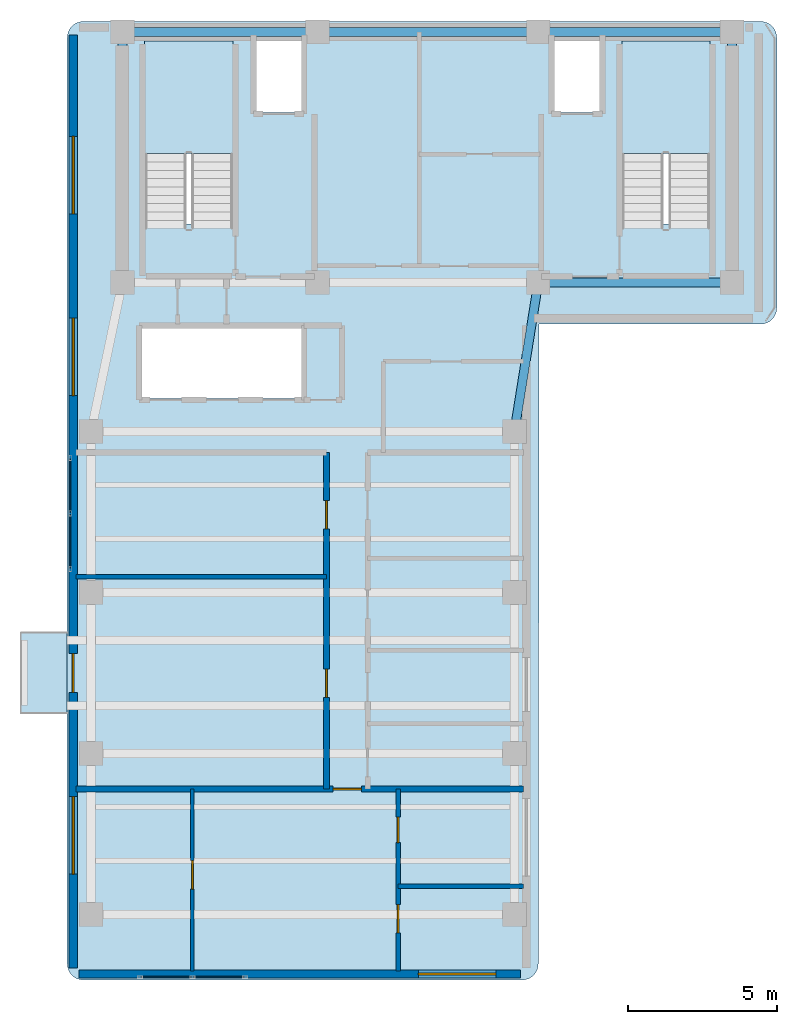
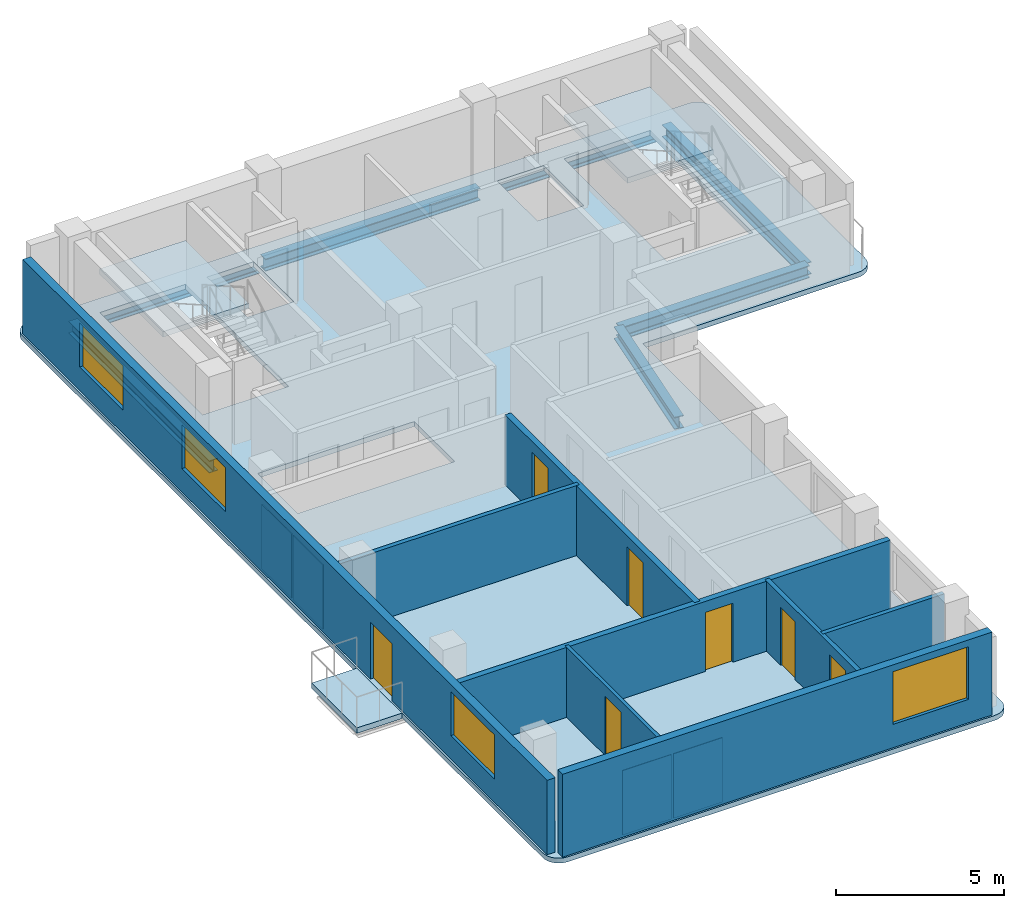
# One storey, part 6 of 9: 8 walls, 7 beams, 7 doors, 4 plates, 4 slabs, 4 windows, 11 openings, 4 elements without a shape of their own.
"""IFC4 building model written with IfcOpenShell, lengths in metres."""

import ifcopenshell
import ifcopenshell.guid

model = None  # the IFC model being written
_history = None  # IfcOwnerHistory: only IFC2X3 demands one
_inside = {}  # id of a spatial element -> (the spatial element, [elements in it])
_under = {}  # id of a project, library or spatial element -> (it, [spatial elements below it])
_declared = {}  # id of a project -> (the project, [libraries it declares])
_typed = {}  # id of a type object -> (the type object, [elements of that type])
_made_of = {}  # id of a material, layer set ... -> (it, [elements and type objects made of it])


def new_model(schema):
    """Start an empty IFC model of exactly this schema.

    Asked for "IFC4X3", IfcOpenShell would pick the latest addendum, in which some entities
    have other attributes; the version numbers below select the first issue.
    IFC2X3 requires an IfcOwnerHistory on every rooted entity: one is made here for all.
    """
    global model, _history
    if schema == "IFC4X3":
        model = ifcopenshell.file(schema_version=(4, 3, 0, 0))
    else:
        model = ifcopenshell.file(schema=schema)
    _inside.clear()
    _under.clear()
    _declared.clear()
    _typed.clear()
    _made_of.clear()
    _history = None
    if model.schema == "IFC2X3":
        org = make("IfcOrganization", Name="unknown")
        user = make(
            "IfcPersonAndOrganization",
            ThePerson=make("IfcPerson", FamilyName="unknown"),
            TheOrganization=org,
        )
        app = make(
            "IfcApplication",
            ApplicationDeveloper=org,
            Version="unknown",
            ApplicationFullName="unknown",
            ApplicationIdentifier="unknown",
        )
        _history = make(
            "IfcOwnerHistory",
            OwningUser=user,
            OwningApplication=app,
            ChangeAction="ADDED",
            CreationDate=0,
        )
    return model


def make(cls, **values):
    """One entity of the class cls with the attributes given. An attribute that is None is left unset."""
    return model.create_entity(
        cls, **{name: value for name, value in values.items() if value is not None}
    )


def rooted(cls, **values):
    """An entity with a GlobalId (a new one), such as an element, a storey or a relation."""
    return make(cls, GlobalId=ifcopenshell.guid.new(), OwnerHistory=_history, **values)


def si_unit(unit_type, name, prefix=None):
    """IfcSIUnit, for example si_unit("LENGTHUNIT", "METRE", prefix="MILLI")."""
    return make("IfcSIUnit", UnitType=unit_type, Prefix=prefix, Name=name)


def assignment(units):
    """IfcUnitAssignment: the units of a project."""
    return None if units is None else make("IfcUnitAssignment", Units=units)


def point(xyz):
    """IfcCartesianPoint."""
    return None if xyz is None else make("IfcCartesianPoint", Coordinates=xyz)


def direction(xyz):
    """IfcDirection."""
    return None if xyz is None else make("IfcDirection", DirectionRatios=xyz)


def frame(location, z_axis=None, x_axis=None):
    """IfcAxis2Placement3D, a coordinate frame: its origin and axes. An axis left out is left unset."""
    return make(
        "IfcAxis2Placement3D",
        Location=point(location),
        Axis=direction(z_axis),
        RefDirection=direction(x_axis),
    )


def frame_2d(location, x_axis=None):
    """IfcAxis2Placement2D, a coordinate frame in the plane: its origin and x axis."""
    return make(
        "IfcAxis2Placement2D", Location=point(location), RefDirection=direction(x_axis)
    )


def origin():
    """The frame at (0, 0, 0) with its axes left unset."""
    return frame((0.0, 0.0, 0.0))


def origin_2d():
    """The frame at (0, 0) in the plane with its x axis left unset."""
    return frame_2d((0.0, 0.0))


def place(relative_to, where):
    """IfcLocalPlacement: puts the frame where relative to a parent placement (None: the world)."""
    return make(
        "IfcLocalPlacement", PlacementRelTo=relative_to, RelativePlacement=where
    )


def context(
    kind, dimensions, precision=None, world=None, true_north=None, identifier=None
):
    """IfcGeometricRepresentationContext, for example the 3D "Model" context."""
    return make(
        "IfcGeometricRepresentationContext",
        ContextIdentifier=identifier,
        ContextType=kind,
        CoordinateSpaceDimension=dimensions,
        Precision=precision,
        WorldCoordinateSystem=world,
        TrueNorth=true_north,
    )


def subcontext(parent, identifier, kind, view, scale=None):
    """IfcGeometricRepresentationSubContext, for example "Body" below "Model"."""
    return make(
        "IfcGeometricRepresentationSubContext",
        ContextIdentifier=identifier,
        ContextType=kind,
        ParentContext=parent,
        TargetScale=scale,
        TargetView=view,
    )


def project(units=None, contexts=None):
    """IfcProject with its units and contexts."""
    return rooted(
        "IfcProject",
        Name="project",
        RepresentationContexts=contexts,
        UnitsInContext=assignment(units),
    )


def spatial(cls, under=None, at=None, **own):
    """A site, building, storey or space (cls), placed at a placement, below another one or the project."""
    s = rooted(cls, ObjectPlacement=at, **own)
    if under is not None:
        _under.setdefault(under.id(), (under, []))[1].append(s)
    return s


def polyline(points):
    """IfcPolyline through the points."""
    return make("IfcPolyline", Points=[point(p) for p in points])


def profile(cls, at=None, kind="AREA", **sizes):
    """A parametric profile (cls). Its sizes go by their IFC names, for example OverallWidth=200.0."""
    return make(cls, ProfileType=kind, Position=at, **sizes)


def rectangle(**sizes):
    """IfcRectangleProfileDef."""
    return profile("IfcRectangleProfileDef", **sizes)


def i_section(**sizes):
    """IfcIShapeProfileDef."""
    return profile("IfcIShapeProfileDef", **sizes)


def outline(outer, holes=None, kind="AREA"):
    """IfcArbitraryClosedProfileDef: a profile drawn as a closed curve; with holes, ...WithVoids."""
    if holes is None:
        return make("IfcArbitraryClosedProfileDef", ProfileType=kind, OuterCurve=outer)
    return make(
        "IfcArbitraryProfileDefWithVoids",
        ProfileType=kind,
        OuterCurve=outer,
        InnerCurves=holes,
    )


def extrude(swept, where, along, depth):
    """IfcExtrudedAreaSolid: the profile swept, set in the frame where, extruded along a direction by depth."""
    return make(
        "IfcExtrudedAreaSolid",
        SweptArea=swept,
        Position=where,
        ExtrudedDirection=direction(along),
        Depth=depth,
    )


def shape(context_of_items, identifier, shape_type, items):
    """IfcShapeRepresentation: the items that make up one representation, for example the "Body"."""
    return make(
        "IfcShapeRepresentation",
        ContextOfItems=context_of_items,
        RepresentationIdentifier=identifier,
        RepresentationType=shape_type,
        Items=items,
    )


def material(Name=None, Category=None):
    """IfcMaterial."""
    return make("IfcMaterial", Name=Name, Category=Category)


def layer(
    of_material, thickness, ventilated=None, Name=None, Category=None, Priority=None
):
    """IfcMaterialLayer: one layer of a wall or slab, of a material (None: an air gap)."""
    return make(
        "IfcMaterialLayer",
        Material=of_material,
        LayerThickness=thickness,
        IsVentilated=ventilated,
        Name=Name,
        Category=Category,
        Priority=Priority,
    )


def layer_set(layers, Name=None):
    """IfcMaterialLayerSet."""
    return make("IfcMaterialLayerSet", MaterialLayers=layers, LayerSetName=Name)


def material_profile(
    of_material, cross_section, Name=None, Category=None, Priority=None
):
    """IfcMaterialProfile: a cross section and its material."""
    return make(
        "IfcMaterialProfile",
        Name=Name,
        Material=of_material,
        Profile=cross_section,
        Priority=Priority,
        Category=Category,
    )


def profile_set(profiles, Name=None, composite=None):
    """IfcMaterialProfileSet."""
    return make(
        "IfcMaterialProfileSet",
        Name=Name,
        MaterialProfiles=profiles,
        CompositeProfile=composite,
    )


def made_of(thing, what):
    """Note that an element or type object is made of a material, layer set ...; save() writes the relation."""
    if what is not None:
        _made_of.setdefault(what.id(), (what, []))[1].append(thing)
    return thing


def type_object(cls, material=None, **own):
    """A type object (cls), such as IfcWallType, which elements share."""
    return made_of(rooted(cls, **own), material)


def element(
    cls,
    number,
    at=None,
    inside=None,
    cuts=None,
    type_object=None,
    material=None,
    context=None,
    identifier="Body",
    shape_type=None,
    held_by="IfcProductDefinitionShape",
    body=None,
    shapes=None,
    **own,
):
    """One element of the class cls, such as IfcWall. Its Tag is "e" and its number.

    at: its placement. inside: the storey or other place that contains it. cuts: it is an
    opening in that element (IfcRelVoidsElement). A single representation is given by context,
    identifier, shape_type and body (its items); several are given by shapes. held_by: the class
    of the entity that holds the representations. save() writes the other relations.
    """
    e = rooted(cls, Tag="e%d" % number, ObjectPlacement=at, **own)
    if body is not None:
        shapes = [shape(context, identifier, shape_type, body)]
    if shapes is not None:
        e.Representation = make(held_by, Representations=shapes)
    if inside is not None:
        _inside.setdefault(inside.id(), (inside, []))[1].append(e)
    if cuts is not None:
        rooted(
            "IfcRelVoidsElement", RelatingBuildingElement=cuts, RelatedOpeningElement=e
        )
    if type_object is not None:
        _typed.setdefault(type_object.id(), (type_object, []))[1].append(e)
    return made_of(e, material)


def fill(opening, filler):
    """IfcRelFillsElement: the door or window that sits in an opening."""
    return rooted(
        "IfcRelFillsElement",
        RelatingOpeningElement=opening,
        RelatedBuildingElement=filler,
    )


def aggregate(whole, parts):
    """IfcRelAggregates: a whole, such as a stair, and the parts it consists of."""
    return rooted("IfcRelAggregates", RelatingObject=whole, RelatedObjects=parts)


def save(model, path):
    """Write the relations noted so far, then the file.

    IfcRelAggregates (storeys below a building ...), IfcRelContainedInSpatialStructure (elements
    in a storey), IfcRelDefinesByType, IfcRelAssociatesMaterial and IfcRelDeclares: one each for
    every whole, place, type object, material and project.
    """
    for whole, parts in _under.values():
        aggregate(whole, parts)
    for where, things in _inside.values():
        rooted(
            "IfcRelContainedInSpatialStructure",
            RelatedElements=things,
            RelatingStructure=where,
        )
    for kind, things in _typed.values():
        rooted("IfcRelDefinesByType", RelatedObjects=things, RelatingType=kind)
    for what, things in _made_of.values():
        rooted("IfcRelAssociatesMaterial", RelatedObjects=things, RelatingMaterial=what)
    for by, libraries in _declared.values():
        rooted("IfcRelDeclares", RelatingContext=by, RelatedDefinitions=libraries)
    model.write(path)


model = new_model("IFC4")

# Units and contexts
model_context = context("Model", 3, precision=1e-05, world=origin(), true_north=direction((0.0, 1.0)))
body_context = subcontext(model_context, "Body", "Model", "MODEL_VIEW")
ifc_project = project(units=[si_unit("LENGTHUNIT", "METRE"), si_unit("AREAUNIT", "SQUARE_METRE"), si_unit("VOLUMEUNIT", "CUBIC_METRE"), si_unit("PLANEANGLEUNIT", "RADIAN"), si_unit("MASSUNIT", "GRAM", prefix="KILO")], contexts=[model_context])

# Site, building, storey
site_placement = place(None, origin())
site = spatial("IfcSite", under=ifc_project, at=site_placement, CompositionType="ELEMENT")
building_placement = place(site_placement, origin())
building = spatial("IfcBuilding", under=site, at=building_placement, Name="Kuzgunbayir Cultural Tower", CompositionType="ELEMENT")
storey_placement = place(building_placement, frame((0.0, 0.0, 240.800048828125)))
storey = spatial("IfcBuildingStorey", under=building, at=storey_placement, Name="L71", CompositionType="ELEMENT", Elevation=240.800048828125)

# Beams
ifc_material_1 = material(Name="Steel S355J2", Category="steel")
ifc_material_profile = material_profile(ifc_material_1, i_section(OverallWidth=0.300048828125, OverallDepth=0.449951171875, WebThickness=0.013916015625, FlangeThickness=0.02587890625, FilletRadius=0.027099609375, at=origin_2d()), Name="HEB 450")
ifc_profile_set = profile_set([ifc_material_profile], Name="Steel S355J2")
beam_type = type_object("IfcBeamType", Name="BM-GIR-HEB450", PredefinedType="BEAM", material=ifc_profile_set)
beam_1_placement = place(storey_placement, frame((20.39990234375, 33.800048828125, -0.400146484375), z_axis=(1.0, 0.0, 0.0), x_axis=(0.0, 1.0, 0.0)))
element("IfcBeam", 1, at=beam_1_placement, inside=storey, type_object=beam_type, Name="L71 Core South Girder 3", PredefinedType="BEAM", context=body_context, shape_type="SweptSolid", body=[
    extrude(i_section(OverallWidth=0.300048828125, OverallDepth=0.449951171875, WebThickness=0.013916015625, FlangeThickness=0.02587890625, FilletRadius=0.027099609375, at=origin_2d()), origin(), (0.0, 0.0, 1.0), 6.5),
])
beam_2_placement = place(storey_placement, frame((6.449951171875, 42.199951171875, -0.400146484375), z_axis=(1.0, 0.0, 0.0), x_axis=(0.0, 1.0, 0.0)))
element("IfcBeam", 2, at=beam_2_placement, inside=storey, type_object=beam_type, Name="L71 Core North Girder 1", PredefinedType="BEAM", context=body_context, shape_type="SweptSolid", body=[
    extrude(i_section(OverallWidth=0.300048828125, OverallDepth=0.449951171875, WebThickness=0.013916015625, FlangeThickness=0.02587890625, FilletRadius=0.027099609375, at=origin_2d()), origin(), (0.0, 0.0, 1.0), 6.550048828125),
])
beam_3_placement = place(storey_placement, frame((13.0, 42.199951171875, -0.400146484375), z_axis=(1.0, 0.0, 0.0), x_axis=(0.0, 1.0, 0.0)))
element("IfcBeam", 3, at=beam_3_placement, inside=storey, type_object=beam_type, Name="L71 Core North Girder 2", PredefinedType="BEAM", context=body_context, shape_type="SweptSolid", body=[
    extrude(i_section(OverallWidth=0.300048828125, OverallDepth=0.449951171875, WebThickness=0.013916015625, FlangeThickness=0.02587890625, FilletRadius=0.027099609375, at=origin_2d()), origin(), (0.0, 0.0, 1.0), 7.39990234375),
])
beam_4_placement = place(storey_placement, frame((20.39990234375, 42.199951171875, -0.400146484375), z_axis=(1.0, 0.0, 0.0), x_axis=(0.0, 1.0, 0.0)))
element("IfcBeam", 4, at=beam_4_placement, inside=storey, type_object=beam_type, Name="L71 Core North Girder 3", PredefinedType="BEAM", context=body_context, shape_type="SweptSolid", body=[
    extrude(i_section(OverallWidth=0.300048828125, OverallDepth=0.449951171875, WebThickness=0.013916015625, FlangeThickness=0.02587890625, FilletRadius=0.027099609375, at=origin_2d()), origin(), (0.0, 0.0, 1.0), 6.5),
])
for number, where, z_axis, x_axis, name in (
    (5, (6.449951171875, 33.800048828125, -0.400146484375), (0.0, 1.0, 0.0), (-1.0, 0.0, 0.0), "L71 Core West Edge Girder"),
    (6, (26.89990234375, 33.800048828125, -0.400146484375), (0.0, 1.0, 0.0), (-1.0, 0.0, 0.0), "L71 Core East Edge Girder"),
):
    element("IfcBeam", number, at=place(storey_placement, frame(where, z_axis=z_axis, x_axis=x_axis)), inside=storey, type_object=beam_type, Name=name, PredefinedType="BEAM", context=body_context, shape_type="SweptSolid", body=[
        extrude(i_section(OverallWidth=0.300048828125, OverallDepth=0.449951171875, WebThickness=0.013916015625, FlangeThickness=0.02587890625, FilletRadius=0.027099609375, at=origin_2d()), origin(), (0.0, 0.0, 1.0), 8.39990234375),
    ])
beam_5_placement = place(storey_placement, frame((19.60009765625, 28.800048828125, -0.400146484375), z_axis=(0.157952891656, 0.987446648694, 0.0), x_axis=(-0.987446648694, 0.157952891656, 0.0)))
element("IfcBeam", 7, at=beam_5_placement, inside=storey, type_object=beam_type, Name="L71 Wing A East Core Floor Girder", PredefinedType="BEAM", context=body_context, shape_type="SweptSolid", body=[
    extrude(i_section(OverallWidth=0.300048828125, OverallDepth=0.449951171875, WebThickness=0.013916015625, FlangeThickness=0.02587890625, FilletRadius=0.027099609375, at=origin_2d()), origin(), (0.0, 0.0, 1.0), 5.0634765625),
])

# Curtain wall, plates
ifc_material_2 = material(Name="Anodised Aluminium Framing", Category="aluminium")
curtain_wall_type = type_object("IfcCurtainWallType", Name="CW06-OBSERVATORY", PredefinedType="NOTDEFINED", material=ifc_material_2)
curtain_wall_1_placement = place(storey_placement, origin())
curtain_wall_1 = element("IfcCurtainWall", 8, at=curtain_wall_1_placement, inside=storey, type_object=curtain_wall_type, Name="L71 Crown Observatory South Curtain Wall", PredefinedType="NOTDEFINED")
ifc_material_3 = material(Name="Solar-Control Triple Glazing", Category="glass")
ifc_layer_1 = layer(ifc_material_3, 0.035888671875)
ifc_layer_set_1 = layer_set([ifc_layer_1], Name="Solar-Control Triple Glazing")
plate_type = type_object("IfcPlateType", Name="PLT-CW-GLASS-36", PredefinedType="CURTAIN_PANEL", material=ifc_layer_set_1)
plate_1_placement = place(storey_placement, frame((7.918701171875, 10.5, 0.059814453125), z_axis=(0.0, 0.0, 1.0), x_axis=(1.0, 0.0, 0.0)))
plate_1 = element("IfcPlate", 9, at=plate_1_placement, type_object=plate_type, Name="CW06 panel 1.1", PredefinedType="CURTAIN_PANEL", context=body_context, shape_type="SweptSolid", body=[
    extrude(rectangle(XDim=1.6875, YDim=0.035888671875, at=origin_2d()), origin(), (0.0, 0.0, 1.0), 2.35009765625),
])
plate_2_placement = place(storey_placement, frame((9.68115234375, 10.5, 0.059814453125), z_axis=(0.0, 0.0, 1.0), x_axis=(1.0, 0.0, 0.0)))
plate_2 = element("IfcPlate", 10, at=plate_2_placement, type_object=plate_type, Name="CW06 panel 2.1", PredefinedType="CURTAIN_PANEL", context=body_context, shape_type="SweptSolid", body=[
    extrude(rectangle(XDim=1.6875, YDim=0.035888671875, at=origin_2d()), origin(), (0.0, 0.0, 1.0), 2.35009765625),
])
aggregate(curtain_wall_1, [plate_1, plate_2])

curtain_wall_2_placement = place(storey_placement, origin())
curtain_wall_2 = element("IfcCurtainWall", 11, at=curtain_wall_2_placement, inside=storey, type_object=curtain_wall_type, Name="L71 Crown Observatory West Curtain Wall", PredefinedType="NOTDEFINED")
plate_3_placement = place(storey_placement, frame((4.699951171875, 25.11865234375, 0.059814453125), z_axis=(0.0, 0.0, 1.0), x_axis=(0.0, 1.0, 0.0)))
plate_3 = element("IfcPlate", 12, at=plate_3_placement, type_object=plate_type, Name="CW06 panel 1.1", PredefinedType="CURTAIN_PANEL", context=body_context, shape_type="SweptSolid", body=[
    extrude(rectangle(XDim=1.78759765625, YDim=0.035888671875, at=origin_2d()), origin(), (0.0, 0.0, 1.0), 2.35009765625),
])
plate_4_placement = place(storey_placement, frame((4.699951171875, 26.981201171875, 0.059814453125), z_axis=(0.0, 0.0, 1.0), x_axis=(0.0, 1.0, 0.0)))
plate_4 = element("IfcPlate", 13, at=plate_4_placement, type_object=plate_type, Name="CW06 panel 2.1", PredefinedType="CURTAIN_PANEL", context=body_context, shape_type="SweptSolid", body=[
    extrude(rectangle(XDim=1.78759765625, YDim=0.035888671875, at=origin_2d()), origin(), (0.0, 0.0, 1.0), 2.35009765625),
])
aggregate(curtain_wall_2, [plate_3, plate_4])

# Slab
ifc_material_4 = material(Name="Concrete C40/50", Category="concrete")
ifc_layer_2 = layer(ifc_material_4, 0.199951171875)
ifc_layer_set_2 = layer_set([ifc_layer_2], Name="Concrete C40/50")
slab_type_1 = type_object("IfcSlabType", Name="SLB-BAL-STONE", PredefinedType="FLOOR", material=ifc_layer_set_2)
slab_1_placement = place(storey_placement, frame((0.0, 0.0, -0.199951171875)))
element("IfcSlab", 14, at=slab_1_placement, inside=storey, type_object=slab_type_1, Name="L71 Projecting Limestone Balcony BAL-L71-WA2", PredefinedType="FLOOR", context=body_context, shape_type="SweptSolid", body=[
    extrude(outline(polyline([(3.0400390625, 19.35009765625), (4.60009765625, 19.35009765625), (4.60009765625, 22.050048828125), (3.0400390625, 22.050048828125), (3.0400390625, 19.35009765625)])), origin(), (0.0, 0.0, 1.0), 0.199951171875),
])

# Stair, slab
stair_type = type_object("IfcStairType", Name="STR-EXIT-CORE", PredefinedType="HALF_TURN_STAIR", material=ifc_material_4)
stair_1_placement = place(storey_placement, origin())
stair_1 = element("IfcStair", 15, at=stair_1_placement, inside=storey, type_object=stair_type, Name="L71 ST-1", PredefinedType="HALF_TURN_STAIR")
ifc_layer_3 = layer(ifc_material_4, 0.179931640625)
ifc_layer_set_3 = layer_set([ifc_layer_3], Name="Concrete C40/50")
slab_type_2 = type_object("IfcSlabType", Name="SLB-LANDING-180", PredefinedType="LANDING", material=ifc_layer_set_3)
slab_2_placement = place(storey_placement, frame((0.0, 0.0, 1.39990234375)))
slab_2 = element("IfcSlab", 16, at=slab_2_placement, type_object=slab_type_2, Name="ST-1 landing 1", PredefinedType="LANDING", context=body_context, shape_type="SweptSolid", body=[
    extrude(outline(polyline([(10.159912109375, 38.1201171875), (10.159912109375, 41.89990234375), (7.199951171875, 41.89990234375), (7.199951171875, 38.1201171875), (10.159912109375, 38.1201171875)])), origin(), (0.0, 0.0, 1.0), 0.199951171875),
])
aggregate(stair_1, [slab_2])

stair_2_placement = place(storey_placement, origin())
stair_2 = element("IfcStair", 17, at=stair_2_placement, inside=storey, type_object=stair_type, Name="L71 ST-2", PredefinedType="HALF_TURN_STAIR")
slab_3_placement = place(storey_placement, frame((0.0, 0.0, 1.39990234375)))
slab_3 = element("IfcSlab", 18, at=slab_3_placement, type_object=slab_type_2, Name="ST-2 landing 1", PredefinedType="LANDING", context=body_context, shape_type="SweptSolid", body=[
    extrude(outline(polyline([(26.159912109375, 38.1201171875), (26.159912109375, 41.89990234375), (23.199951171875, 41.89990234375), (23.199951171875, 38.1201171875), (26.159912109375, 38.1201171875)])), origin(), (0.0, 0.0, 1.0), 0.199951171875),
])
aggregate(stair_2, [slab_3])

# Slab
ifc_layer_4 = layer(ifc_material_4, 0.179931640625)
ifc_layer_set_4 = layer_set([ifc_layer_4], Name="Concrete C40/50")
slab_type_3 = type_object("IfcSlabType", Name="SLB-TYP-180", PredefinedType="FLOOR", material=ifc_layer_set_4)
slab_4_placement = place(storey_placement, frame((0.0, 0.0, -0.179931640625)))
element("IfcSlab", 19, at=slab_4_placement, inside=storey, type_object=slab_type_3, Name="L71 Tower 1 Floor Slab T1-MAIN", PredefinedType="FLOOR", context=body_context, shape_type="SweptSolid", body=[
    extrude(outline(polyline([(20.39990234375, 10.949951171875), (20.389892578125, 10.840087890625), (20.360107421875, 10.739990234375), (20.31005859375, 10.639892578125), (20.239990234375, 10.56005859375), (20.159912109375, 10.489990234375), (20.06005859375, 10.43994140625), (19.9599609375, 10.409912109375), (19.85009765625, 10.39990234375), (5.14990234375, 10.39990234375), (5.0400390625, 10.409912109375), (4.93994140625, 10.43994140625), (4.840087890625, 10.489990234375), (4.760009765625, 10.56005859375), (4.68994140625, 10.639892578125), (4.639892578125, 10.739990234375), (4.610107421875, 10.840087890625), (4.60009765625, 10.949951171875), (4.60009765625, 42.0), (4.610107421875, 42.110107421875), (4.639892578125, 42.2099609375), (4.68994140625, 42.31005859375), (4.760009765625, 42.389892578125), (4.840087890625, 42.4599609375), (4.93994140625, 42.510009765625), (5.0400390625, 42.5400390625), (5.14990234375, 42.550048828125), (27.85009765625, 42.550048828125), (27.9599609375, 42.5400390625), (28.06005859375, 42.510009765625), (28.159912109375, 42.4599609375), (28.239990234375, 42.389892578125), (28.31005859375, 42.31005859375), (28.360107421875, 42.2099609375), (28.389892578125, 42.110107421875), (28.39990234375, 42.0), (28.39990234375, 32.949951171875), (28.389892578125, 32.840087890625), (28.360107421875, 32.739990234375), (28.31005859375, 32.639892578125), (28.239990234375, 32.56005859375), (28.159912109375, 32.489990234375), (28.06005859375, 32.43994140625), (27.9599609375, 32.409912109375), (27.85009765625, 32.39990234375), (20.429931640625, 32.39990234375), (20.39990234375, 10.949951171875)]), holes=[polyline([(7.199951171875, 35.760009765625), (7.199951171875, 41.89990234375), (10.159912109375, 41.89990234375), (10.159912109375, 35.760009765625), (7.199951171875, 35.760009765625)]), polyline([(23.199951171875, 35.760009765625), (23.199951171875, 41.89990234375), (26.159912109375, 41.89990234375), (26.159912109375, 35.760009765625), (23.199951171875, 35.760009765625)]), polyline([(7.10009765625, 29.89990234375), (7.10009765625, 32.300048828125), (12.5, 32.300048828125), (12.5, 29.89990234375), (7.10009765625, 29.89990234375)]), polyline([(10.89990234375, 39.5), (10.89990234375, 41.89990234375), (12.5, 41.89990234375), (12.5, 39.5), (10.89990234375, 39.5)]), polyline([(20.89990234375, 39.5), (20.89990234375, 41.89990234375), (22.5, 41.89990234375), (22.5, 39.5), (20.89990234375, 39.5)])]), origin(), (0.0, 0.0, 1.0), 0.179931640625),
])

# Wall, opening, window
ifc_material_5 = material(Name="Anatolian Cream Limestone", Category="masonry")
ifc_layer_5 = layer(ifc_material_5, 0.280029296875)
ifc_layer_set_5 = layer_set([ifc_layer_5], Name="Anatolian Cream Limestone")
wall_type_1 = type_object("IfcWallType", Name="WAL-EXT-STONE-280", PredefinedType="STANDARD", material=ifc_layer_set_5)
wall_1_placement = place(storey_placement, frame((5.0, 10.60009765625, 0.0), z_axis=(0.0, 0.0, 1.0), x_axis=(1.0, 0.0, 0.0)))
wall_1 = element("IfcWall", 20, at=wall_1_placement, inside=storey, type_object=wall_type_1, Name="L71 Wing A South Limestone Wall", PredefinedType="STANDARD", context=body_context, shape_type="SweptSolid", body=[
    extrude(rectangle(XDim=14.800048828125, YDim=0.280029296875, at=frame_2d((7.39990234375, 0.0))), origin(), (0.0, 0.0, 1.0), 3.02001953125),
])
opening_1_placement = place(wall_1_placement, frame((11.3798828125, 0.0, 0.85009765625)))
opening_1 = element("IfcOpeningElement", 21, at=opening_1_placement, cuts=wall_1, Name="Opening WK-26", PredefinedType="OPENING", context=body_context, shape_type="SweptSolid", body=[
    extrude(rectangle(XDim=2.60009765625, YDim=1.919921875, at=frame_2d((1.300048828125, 0.9599609375))), frame((0.0, 0.14990234375, 0.0), z_axis=(0.0, -1.0, 0.0), x_axis=(1.0, 0.0, 0.0)), (0.0, 0.0, 1.0), 0.300048828125),
])
window_type = type_object("IfcWindowType", Name="WIN-CROWN-26", PartitioningType="SINGLE_PANEL", PredefinedType="WINDOW", material=ifc_material_3)
window_1_placement = place(opening_1_placement, origin())
window_1 = element("IfcWindow", 22, at=window_1_placement, inside=storey, type_object=window_type, Name="L71 WAS Facade Window 1", OverallHeight=1.919921875, OverallWidth=2.60009765625, PartitioningType="SINGLE_PANEL", PredefinedType="WINDOW", context=body_context, shape_type="SweptSolid", body=[
    extrude(rectangle(XDim=2.60009765625, YDim=1.919921875, at=frame_2d((1.300048828125, 0.9599609375))), frame((0.0, 0.030029296875, 0.0), z_axis=(0.0, -1.0, 0.0), x_axis=(1.0, 0.0, 0.0)), (0.0, 0.0, 1.0), 0.06005859375),
])
fill(opening_1, window_1)

# Wall, openings, door, windows
wall_2_placement = place(storey_placement, frame((4.800048828125, 42.10009765625, 0.0), z_axis=(0.0, 0.0, 1.0), x_axis=(0.0, -1.0, 0.0)))
wall_2 = element("IfcWall", 23, at=wall_2_placement, inside=storey, type_object=wall_type_1, Name="L71 Wing A West Limestone Wall", PredefinedType="STANDARD", context=body_context, shape_type="SweptSolid", body=[
    extrude(rectangle(XDim=31.300048828125, YDim=0.280029296875, at=frame_2d((15.64990234375, 0.0))), origin(), (0.0, 0.0, 1.0), 2.7099609375),
])
opening_2_placement = place(wall_2_placement, frame((20.75, 0.0, 0.0)))
opening_2 = element("IfcOpeningElement", 24, at=opening_2_placement, cuts=wall_2, Name="Opening BD-13", PredefinedType="OPENING", context=body_context, shape_type="SweptSolid", body=[
    extrude(rectangle(XDim=1.300048828125, YDim=2.080078125, at=frame_2d((0.64990234375, 1.0400390625))), frame((0.0, 0.14990234375, 0.0), z_axis=(0.0, -1.0, 0.0), x_axis=(1.0, 0.0, 0.0)), (0.0, 0.0, 1.0), 0.300048828125),
])
opening_3_placement = place(wall_2_placement, frame((25.550048828125, 0.0, 0.85009765625)))
opening_3 = element("IfcOpeningElement", 25, at=opening_3_placement, cuts=wall_2, Name="Opening WK-26", PredefinedType="OPENING", context=body_context, shape_type="SweptSolid", body=[
    extrude(rectangle(XDim=2.60009765625, YDim=1.610107421875, at=frame_2d((1.300048828125, 0.80517578125))), frame((0.0, 0.14990234375, 0.0), z_axis=(0.0, -1.0, 0.0), x_axis=(1.0, 0.0, 0.0)), (0.0, 0.0, 1.0), 0.300048828125),
])
opening_4_placement = place(wall_2_placement, frame((9.5, 0.0, 0.85009765625)))
opening_4 = element("IfcOpeningElement", 26, at=opening_4_placement, cuts=wall_2, Name="Opening WK-26", PredefinedType="OPENING", context=body_context, shape_type="SweptSolid", body=[
    extrude(rectangle(XDim=2.60009765625, YDim=1.610107421875, at=frame_2d((1.300048828125, 0.80517578125))), frame((0.0, 0.14990234375, 0.0), z_axis=(0.0, -1.0, 0.0), x_axis=(1.0, 0.0, 0.0)), (0.0, 0.0, 1.0), 0.300048828125),
])
opening_5_placement = place(wall_2_placement, frame((3.39990234375, 0.0, 0.85009765625)))
opening_5 = element("IfcOpeningElement", 27, at=opening_5_placement, cuts=wall_2, Name="Opening WK-26", PredefinedType="OPENING", context=body_context, shape_type="SweptSolid", body=[
    extrude(rectangle(XDim=2.60009765625, YDim=1.610107421875, at=frame_2d((1.300048828125, 0.80517578125))), frame((0.0, 0.14990234375, 0.0), z_axis=(0.0, -1.0, 0.0), x_axis=(1.0, 0.0, 0.0)), (0.0, 0.0, 1.0), 0.300048828125),
])
ifc_material_6 = material(Name="Thermally Broken Glazed Aluminium", Category="aluminium")
door_type_1 = type_object("IfcDoorType", Name="DR-BALCONY-135", OperationType="SLIDING_TO_LEFT", PredefinedType="DOOR", material=ifc_material_6)
door_1_placement = place(opening_2_placement, origin())
door_1 = element("IfcDoor", 28, at=door_1_placement, inside=storey, type_object=door_type_1, Name="L71 West Balcony Sliding Door BAL-L71-WA2", OperationType="SLIDING_TO_LEFT", OverallHeight=2.080078125, OverallWidth=1.300048828125, PredefinedType="DOOR", context=body_context, shape_type="SweptSolid", body=[
    extrude(rectangle(XDim=1.300048828125, YDim=2.080078125, at=frame_2d((0.64990234375, 1.0400390625))), frame((0.0, 0.02490234375, 0.0), z_axis=(0.0, -1.0, 0.0), x_axis=(1.0, 0.0, 0.0)), (0.0, 0.0, 1.0), 0.050048828125),
])
fill(opening_2, door_1)
window_2_placement = place(opening_3_placement, origin())
window_2 = element("IfcWindow", 29, at=window_2_placement, inside=storey, type_object=window_type, Name="L71 WAW Facade Window 3", OverallHeight=1.610107421875, OverallWidth=2.60009765625, PartitioningType="SINGLE_PANEL", PredefinedType="WINDOW", context=body_context, shape_type="SweptSolid", body=[
    extrude(rectangle(XDim=2.60009765625, YDim=1.610107421875, at=frame_2d((1.300048828125, 0.80517578125))), frame((0.0, 0.030029296875, 0.0), z_axis=(0.0, -1.0, 0.0), x_axis=(1.0, 0.0, 0.0)), (0.0, 0.0, 1.0), 0.06005859375),
])
fill(opening_3, window_2)
window_3_placement = place(opening_4_placement, origin())
window_3 = element("IfcWindow", 30, at=window_3_placement, inside=storey, type_object=window_type, Name="L71 WAW Facade Window 4", OverallHeight=1.610107421875, OverallWidth=2.60009765625, PartitioningType="SINGLE_PANEL", PredefinedType="WINDOW", context=body_context, shape_type="SweptSolid", body=[
    extrude(rectangle(XDim=2.60009765625, YDim=1.610107421875, at=frame_2d((1.300048828125, 0.80517578125))), frame((0.0, 0.030029296875, 0.0), z_axis=(0.0, -1.0, 0.0), x_axis=(1.0, 0.0, 0.0)), (0.0, 0.0, 1.0), 0.06005859375),
])
fill(opening_4, window_3)
window_4_placement = place(opening_5_placement, origin())
window_4 = element("IfcWindow", 31, at=window_4_placement, inside=storey, type_object=window_type, Name="L71 WAW Facade Window 5", OverallHeight=1.610107421875, OverallWidth=2.60009765625, PartitioningType="SINGLE_PANEL", PredefinedType="WINDOW", context=body_context, shape_type="SweptSolid", body=[
    extrude(rectangle(XDim=2.60009765625, YDim=1.610107421875, at=frame_2d((1.300048828125, 0.80517578125))), frame((0.0, 0.030029296875, 0.0), z_axis=(0.0, -1.0, 0.0), x_axis=(1.0, 0.0, 0.0)), (0.0, 0.0, 1.0), 0.06005859375),
])
fill(opening_5, window_4)

# Wall
ifc_material_7 = material(Name="Acoustic Double-Stud Drywall", Category="gypsum")
ifc_layer_6 = layer(ifc_material_7, 0.14990234375)
ifc_layer_set_6 = layer_set([ifc_layer_6], Name="Acoustic Double-Stud Drywall")
wall_type_2 = type_object("IfcWallType", Name="WAL-PART-ACOUSTIC-150", PredefinedType="PARTITIONING", material=ifc_layer_set_6)
wall_3_placement = place(storey_placement, frame((4.89990234375, 23.919921875, 0.0), z_axis=(0.0, 0.0, 1.0), x_axis=(1.0, 0.0, 0.0)))
element("IfcWall", 32, at=wall_3_placement, inside=storey, type_object=wall_type_2, Name="L71 West Study Partition 1", PredefinedType="PARTITIONING", context=body_context, shape_type="SweptSolid", body=[
    extrude(rectangle(XDim=8.400146484375, YDim=0.14990234375, at=frame_2d((4.2001953125, 0.0))), origin(), (0.0, 0.0, 1.0), 2.550048828125),
])

# Wall, openings, doors
ifc_material_8 = material(Name="Aerated Concrete Blockwork", Category="masonry")
ifc_layer_7 = layer(ifc_material_8, 0.199951171875)
ifc_layer_set_7 = layer_set([ifc_layer_7], Name="Aerated Concrete Blockwork")
wall_type_3 = type_object("IfcWallType", Name="WAL-PART-FIRE-200", PredefinedType="PARTITIONING", material=ifc_layer_set_7)
wall_4_placement = place(storey_placement, frame((13.300048828125, 16.800048828125, 0.0), z_axis=(0.0, 0.0, 1.0), x_axis=(0.0, 1.0, 0.0)))
wall_4 = element("IfcWall", 33, at=wall_4_placement, inside=storey, type_object=wall_type_3, Name="L71 Wing A West Corridor Wall", PredefinedType="PARTITIONING", context=body_context, shape_type="SweptSolid", body=[
    extrude(rectangle(XDim=11.300048828125, YDim=0.199951171875, at=frame_2d((5.64990234375, 0.0))), origin(), (0.0, 0.0, 1.0), 2.550048828125),
])
opening_6_placement = place(wall_4_placement, frame((3.080078125, 0.0, 0.0)))
opening_6 = element("IfcOpeningElement", 34, at=opening_6_placement, cuts=wall_4, Name="Opening DI-90", PredefinedType="OPENING", context=body_context, shape_type="SweptSolid", body=[
    extrude(rectangle(XDim=0.949951171875, YDim=2.14990234375, at=frame_2d((0.47509765625, 1.074951171875))), frame((0.0, 0.10986328125, 0.0), z_axis=(0.0, -1.0, 0.0), x_axis=(1.0, 0.0, 0.0)), (0.0, 0.0, 1.0), 0.219970703125),
])
opening_7_placement = place(wall_4_placement, frame((8.72998046875, 0.0, 0.0)))
opening_7 = element("IfcOpeningElement", 35, at=opening_7_placement, cuts=wall_4, Name="Opening DI-90", PredefinedType="OPENING", context=body_context, shape_type="SweptSolid", body=[
    extrude(rectangle(XDim=0.949951171875, YDim=2.14990234375, at=frame_2d((0.47509765625, 1.074951171875))), frame((0.0, 0.10986328125, 0.0), z_axis=(0.0, -1.0, 0.0), x_axis=(1.0, 0.0, 0.0)), (0.0, 0.0, 1.0), 0.219970703125),
])
ifc_material_9 = material(Name="Veneered Oak Single Leaf", Category="wood")
door_type_2 = type_object("IfcDoorType", Name="DR-INT-90", OperationType="NOTDEFINED", PredefinedType="DOOR", material=ifc_material_9)
door_2_placement = place(opening_6_placement, origin())
door_2 = element("IfcDoor", 36, at=door_2_placement, inside=storey, type_object=door_type_2, Name="L71 Fellows Reading Lounge W1 Door", OperationType="SINGLE_SWING_RIGHT", OverallHeight=2.14990234375, OverallWidth=0.949951171875, PredefinedType="DOOR", context=body_context, shape_type="SweptSolid", body=[
    extrude(rectangle(XDim=0.949951171875, YDim=2.14990234375, at=frame_2d((0.47509765625, 1.074951171875))), frame((0.0, 0.02490234375, 0.0), z_axis=(0.0, -1.0, 0.0), x_axis=(1.0, 0.0, 0.0)), (0.0, 0.0, 1.0), 0.050048828125),
])
fill(opening_6, door_2)
door_3_placement = place(opening_7_placement, origin())
door_3 = element("IfcDoor", 37, at=door_3_placement, inside=storey, type_object=door_type_2, Name="L71 Seminar Boardroom W2 Door", OperationType="SINGLE_SWING_LEFT", OverallHeight=2.14990234375, OverallWidth=0.949951171875, PredefinedType="DOOR", context=body_context, shape_type="SweptSolid", body=[
    extrude(rectangle(XDim=0.949951171875, YDim=2.14990234375, at=frame_2d((0.47509765625, 1.074951171875))), frame((0.0, 0.02490234375, 0.0), z_axis=(0.0, -1.0, 0.0), x_axis=(1.0, 0.0, 0.0)), (0.0, 0.0, 1.0), 0.050048828125),
])
fill(opening_7, door_3)

# Wall, opening, door
wall_5_placement = place(storey_placement, frame((4.89990234375, 16.800048828125, 0.0), z_axis=(0.0, 0.0, 1.0), x_axis=(1.0, 0.0, 0.0)))
wall_5 = element("IfcWall", 38, at=wall_5_placement, inside=storey, type_object=wall_type_3, Name="L71 South Cross Partition", PredefinedType="PARTITIONING", context=body_context, shape_type="SweptSolid", body=[
    extrude(rectangle(XDim=15.0, YDim=0.199951171875, at=frame_2d((7.5, 0.0))), origin(), (0.0, 0.0, 1.0), 2.550048828125),
])
opening_8_placement = place(wall_5_placement, frame((8.6201171875, 0.0, 0.0)))
opening_8 = element("IfcOpeningElement", 39, at=opening_8_placement, cuts=wall_5, Name="Opening DR-APT-60", PredefinedType="OPENING", context=body_context, shape_type="SweptSolid", body=[
    extrude(rectangle(XDim=0.949951171875, YDim=2.14990234375, at=frame_2d((0.47509765625, 1.074951171875))), frame((0.0, 0.10986328125, 0.0), z_axis=(0.0, -1.0, 0.0), x_axis=(1.0, 0.0, 0.0)), (0.0, 0.0, 1.0), 0.219970703125),
])
ifc_material_10 = material(Name="Acoustic Fire Timber Leaf", Category="wood")
door_type_3 = type_object("IfcDoorType", Name="DR-APT-60", OperationType="NOTDEFINED", PredefinedType="DOOR", material=ifc_material_10)
door_4_placement = place(opening_8_placement, origin())
door_4 = element("IfcDoor", 40, at=door_4_placement, inside=storey, type_object=door_type_3, Name="L71 Apartment A Entrance", OperationType="SINGLE_SWING_RIGHT", OverallHeight=2.14990234375, OverallWidth=0.949951171875, PredefinedType="DOOR", context=body_context, shape_type="SweptSolid", body=[
    extrude(rectangle(XDim=0.949951171875, YDim=2.14990234375, at=frame_2d((0.47509765625, 1.074951171875))), frame((0.0, 0.02490234375, 0.0), z_axis=(0.0, -1.0, 0.0), x_axis=(1.0, 0.0, 0.0)), (0.0, 0.0, 1.0), 0.050048828125),
])
fill(opening_8, door_4)

ifc_material_11 = material(Name="Framed Gypsum Partition", Category="gypsum")
ifc_layer_8 = layer(ifc_material_11, 0.1201171875)
ifc_layer_set_8 = layer_set([ifc_layer_8], Name="Framed Gypsum Partition")
wall_type_4 = type_object("IfcWallType", Name="WAL-PART-INT-120", PredefinedType="PARTITIONING", material=ifc_layer_set_8)
wall_6_placement = place(storey_placement, frame((8.800048828125, 10.699951171875, 0.0), z_axis=(0.0, 0.0, 1.0), x_axis=(0.0, 1.0, 0.0)))
wall_6 = element("IfcWall", 41, at=wall_6_placement, inside=storey, type_object=wall_type_4, Name="L71 Flat A West Bedroom Wall", PredefinedType="PARTITIONING", context=body_context, shape_type="SweptSolid", body=[
    extrude(rectangle(XDim=6.10009765625, YDim=0.1201171875, at=frame_2d((3.050048828125, 0.0))), origin(), (0.0, 0.0, 1.0), 2.550048828125),
])
opening_9_placement = place(wall_6_placement, frame((2.75, 0.0, 0.0)))
opening_9 = element("IfcOpeningElement", 42, at=opening_9_placement, cuts=wall_6, Name="Opening DI-90", PredefinedType="OPENING", context=body_context, shape_type="SweptSolid", body=[
    extrude(rectangle(XDim=0.949951171875, YDim=2.14990234375, at=frame_2d((0.47509765625, 1.074951171875))), frame((0.0, 0.070068359375, 0.0), z_axis=(0.0, -1.0, 0.0), x_axis=(1.0, 0.0, 0.0)), (0.0, 0.0, 1.0), 0.14013671875),
])
door_5_placement = place(opening_9_placement, origin())
door_5 = element("IfcDoor", 43, at=door_5_placement, inside=storey, type_object=door_type_2, Name="L71 Apartment A Bedroom Door", OperationType="SINGLE_SWING_LEFT", OverallHeight=2.14990234375, OverallWidth=0.949951171875, PredefinedType="DOOR", context=body_context, shape_type="SweptSolid", body=[
    extrude(rectangle(XDim=0.949951171875, YDim=2.14990234375, at=frame_2d((0.47509765625, 1.074951171875))), frame((0.0, 0.02490234375, 0.0), z_axis=(0.0, -1.0, 0.0), x_axis=(1.0, 0.0, 0.0)), (0.0, 0.0, 1.0), 0.050048828125),
])
fill(opening_9, door_5)

# Wall, openings, doors
ifc_material_12 = material(Name="Moisture-Resistant Tile Partition", Category="gypsum")
ifc_layer_9 = layer(ifc_material_12, 0.14990234375)
ifc_layer_set_9 = layer_set([ifc_layer_9], Name="Moisture-Resistant Tile Partition")
wall_type_5 = type_object("IfcWallType", Name="WAL-PART-WET-150", PredefinedType="PARTITIONING", material=ifc_layer_set_9)
wall_7_placement = place(storey_placement, frame((15.699951171875, 10.699951171875, 0.0), z_axis=(0.0, 0.0, 1.0), x_axis=(0.0, 1.0, 0.0)))
wall_7 = element("IfcWall", 44, at=wall_7_placement, inside=storey, type_object=wall_type_5, Name="L71 Flat A East Service Wall", PredefinedType="PARTITIONING", context=body_context, shape_type="SweptSolid", body=[
    extrude(rectangle(XDim=6.10009765625, YDim=0.14990234375, at=frame_2d((3.050048828125, 0.0))), origin(), (0.0, 0.0, 1.0), 2.550048828125),
])
opening_10_placement = place(wall_7_placement, frame((1.280029296875, 0.0, 0.0)))
opening_10 = element("IfcOpeningElement", 45, at=opening_10_placement, cuts=wall_7, Name="Opening DI-90", PredefinedType="OPENING", context=body_context, shape_type="SweptSolid", body=[
    extrude(rectangle(XDim=0.949951171875, YDim=2.14990234375, at=frame_2d((0.47509765625, 1.074951171875))), frame((0.0, 0.0849609375, 0.0), z_axis=(0.0, -1.0, 0.0), x_axis=(1.0, 0.0, 0.0)), (0.0, 0.0, 1.0), 0.169921875),
])
opening_11_placement = place(wall_7_placement, frame((4.31005859375, 0.0, 0.0)))
opening_11 = element("IfcOpeningElement", 46, at=opening_11_placement, cuts=wall_7, Name="Opening DW-85", PredefinedType="OPENING", context=body_context, shape_type="SweptSolid", body=[
    extrude(rectangle(XDim=0.85009765625, YDim=2.10009765625, at=frame_2d((0.425048828125, 1.050048828125))), frame((0.0, 0.0849609375, 0.0), z_axis=(0.0, -1.0, 0.0), x_axis=(1.0, 0.0, 0.0)), (0.0, 0.0, 1.0), 0.169921875),
])
door_6_placement = place(opening_10_placement, origin())
door_6 = element("IfcDoor", 47, at=door_6_placement, inside=storey, type_object=door_type_2, Name="L71 Apartment A Kitchen Door", OperationType="SINGLE_SWING_RIGHT", OverallHeight=2.14990234375, OverallWidth=0.949951171875, PredefinedType="DOOR", context=body_context, shape_type="SweptSolid", body=[
    extrude(rectangle(XDim=0.949951171875, YDim=2.14990234375, at=frame_2d((0.47509765625, 1.074951171875))), frame((0.0, 0.02490234375, 0.0), z_axis=(0.0, -1.0, 0.0), x_axis=(1.0, 0.0, 0.0)), (0.0, 0.0, 1.0), 0.050048828125),
])
fill(opening_10, door_6)
ifc_material_13 = material(Name="Laminate Moisture-Resistant Leaf", Category="wood")
door_type_4 = type_object("IfcDoorType", Name="DR-WET-85", OperationType="NOTDEFINED", PredefinedType="DOOR", material=ifc_material_13)
door_7_placement = place(opening_11_placement, origin())
door_7 = element("IfcDoor", 48, at=door_7_placement, inside=storey, type_object=door_type_4, Name="L71 Apartment A Bathroom Door", OperationType="SINGLE_SWING_LEFT", OverallHeight=2.10009765625, OverallWidth=0.85009765625, PredefinedType="DOOR", context=body_context, shape_type="SweptSolid", body=[
    extrude(rectangle(XDim=0.85009765625, YDim=2.10009765625, at=frame_2d((0.425048828125, 1.050048828125))), frame((0.0, 0.02490234375, 0.0), z_axis=(0.0, -1.0, 0.0), x_axis=(1.0, 0.0, 0.0)), (0.0, 0.0, 1.0), 0.050048828125),
])
fill(opening_11, door_7)

# Wall
wall_8_placement = place(storey_placement, frame((15.699951171875, 13.550048828125, 0.0), z_axis=(0.0, 0.0, 1.0), x_axis=(1.0, 0.0, 0.0)))
element("IfcWall", 49, at=wall_8_placement, inside=storey, type_object=wall_type_5, Name="L71 Flat A Bath Kitchen Divider", PredefinedType="PARTITIONING", context=body_context, shape_type="SweptSolid", body=[
    extrude(rectangle(XDim=4.199951171875, YDim=0.14990234375, at=frame_2d((2.10009765625, 0.0))), origin(), (0.0, 0.0, 1.0), 2.550048828125),
])

save(model, "model.ifc")
